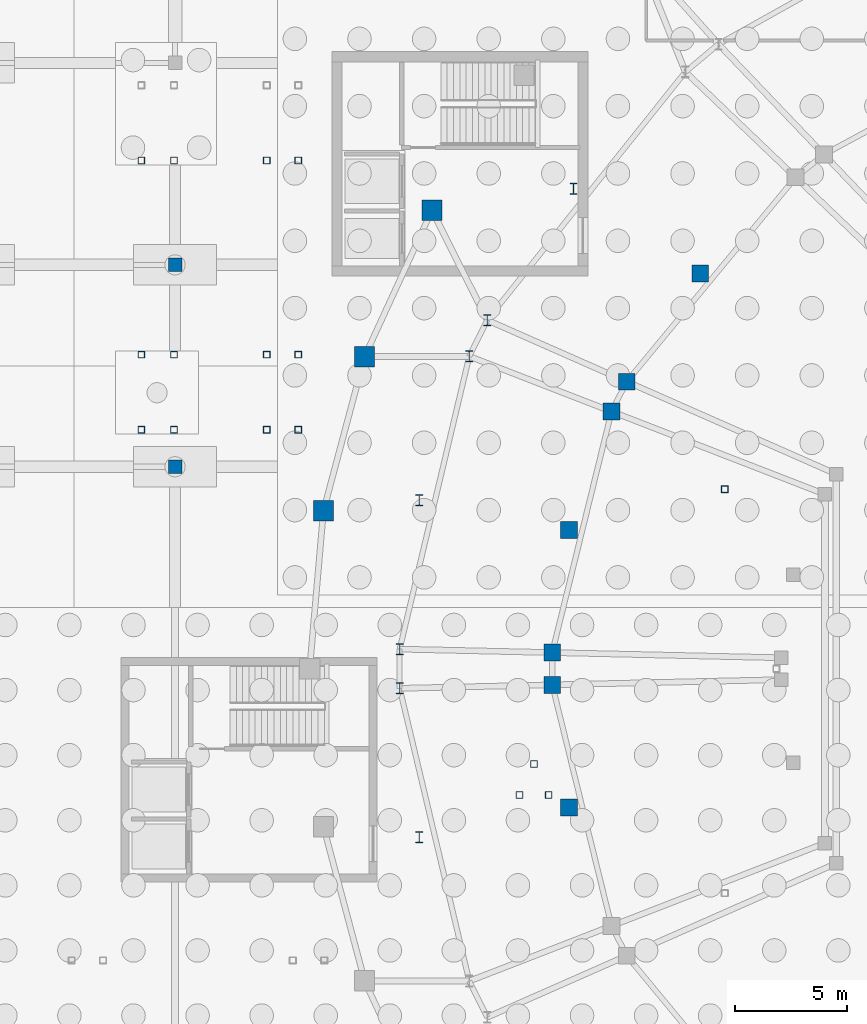
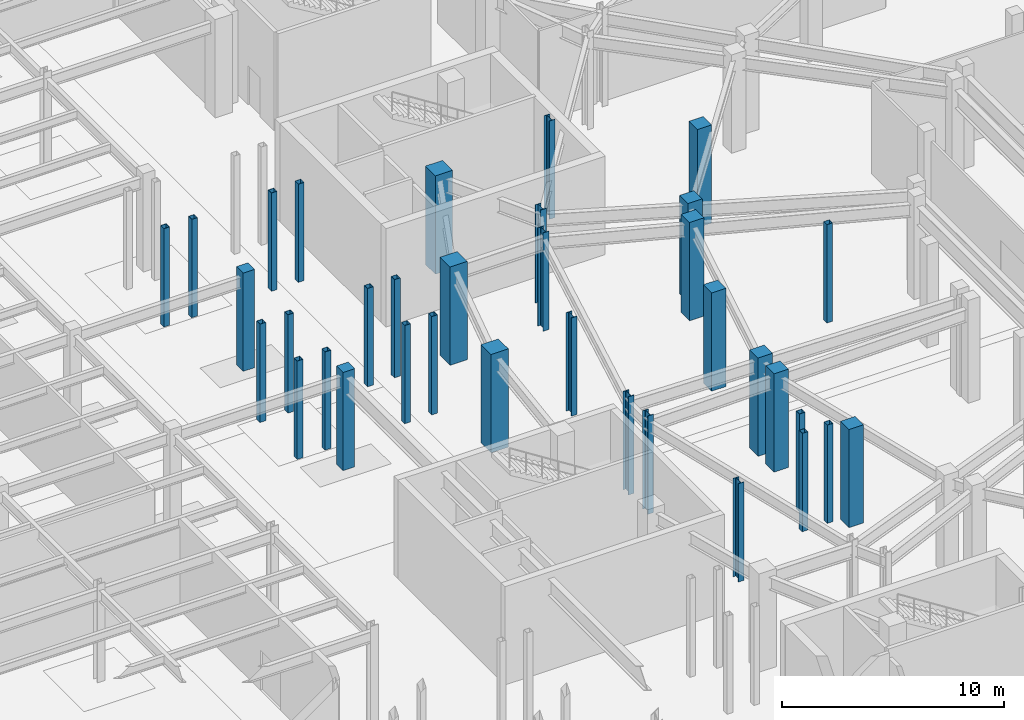
# One storey, part 18 of 56: 35 columns.
"""IFC4 building model written with IfcOpenShell, lengths in metres."""

from ifc_helpers import new_model, si_unit, direction, frame, origin, origin_2d, place, context, subcontext, project, spatial, rectangle, hollow_rectangle, i_section, extrude, material, material_profile, profile_set, type_object, element, save


model = new_model("IFC4")

# Units and contexts
model_context = context("Model", 3, precision=1e-05, world=origin(), true_north=direction((0.0, 1.0)))
body_context = subcontext(model_context, "Body", "Model", "MODEL_VIEW")
ifc_project = project(units=[si_unit("LENGTHUNIT", "METRE"), si_unit("AREAUNIT", "SQUARE_METRE"), si_unit("VOLUMEUNIT", "CUBIC_METRE"), si_unit("PLANEANGLEUNIT", "RADIAN"), si_unit("MASSUNIT", "GRAM", prefix="KILO")], contexts=[model_context])

# Site, building, storey
site_placement = place(None, origin())
site = spatial("IfcSite", under=ifc_project, at=site_placement, CompositionType="ELEMENT")
building_placement = place(site_placement, origin())
building = spatial("IfcBuilding", under=site, at=building_placement, Name="Glasvene Arena", CompositionType="ELEMENT")
storey_placement = place(building_placement, frame((0.0, 0.0, -5.39990234375)))
storey = spatial("IfcBuildingStorey", under=building, at=storey_placement, Name="B1", CompositionType="ELEMENT", Elevation=-5.39990234375)

# Columns
ifc_material_1 = material(Name="Concrete C40/50", Category="concrete")
ifc_material_profile_1 = material_profile(ifc_material_1, rectangle(XDim=0.89990234375, YDim=0.89990234375, at=origin_2d()), Name="RC 900x900")
ifc_profile_set_1 = profile_set([ifc_material_profile_1], Name="Concrete C40/50")
column_type_1 = type_object("IfcColumnType", Name="COL-BOWL-RC900", PredefinedType="COLUMN", material=ifc_profile_set_1)
for number, where, z_axis, x_axis, name in (
    (1, (47.44970703125, 93.4296875, 0.0), (0.0, 0.0, 1.0), (1.0, 0.0, 0.0), "Bowl ring column R18 B1"),
    (2, (44.447265625, 86.90576171875, 0.0), (0.0, 0.0, 1.0), (1.0, 0.0, 0.0), "Bowl ring column R19 B1"),
    (3, (42.615478515625, 80.03955078125, 0.0), (0.0, 0.0, 1.0), (1.0, 0.0, 0.0), "Bowl ring column R20 B1"),
):
    element("IfcColumn", number, at=place(storey_placement, frame(where, z_axis=z_axis, x_axis=x_axis)), inside=storey, type_object=column_type_1, Name=name, PredefinedType="COLUMN", context=body_context, shape_type="SweptSolid", body=[
        extrude(rectangle(XDim=0.89990234375, YDim=0.89990234375, at=origin_2d()), origin(), (0.0, 0.0, 1.0), 5.39990234375),
    ])
ifc_material_profile_2 = material_profile(ifc_material_1, rectangle(XDim=0.60009765625, YDim=0.60009765625, at=origin_2d()), Name="RC 600x600")
ifc_profile_set_2 = profile_set([ifc_material_profile_2], Name="Concrete C40/50")
column_type_2 = type_object("IfcColumnType", Name="COL-IN-RC600", PredefinedType="COLUMN", material=ifc_profile_set_2)
for number, where, z_axis, x_axis, name in (
    (4, (36.0, 82.0, 0.0), (0.0, 0.0, 1.0), (1.0, 0.0, 0.0), "Grid column 5-10 B1"),
    (5, (36.0, 91.0, 0.0), (0.0, 0.0, 1.0), (1.0, 0.0, 0.0), "Grid column 5-11 B1"),
):
    element("IfcColumn", number, at=place(storey_placement, frame(where, z_axis=z_axis, x_axis=x_axis)), inside=storey, type_object=column_type_2, Name=name, PredefinedType="COLUMN", context=body_context, shape_type="SweptSolid", body=[
        extrude(rectangle(XDim=0.60009765625, YDim=0.60009765625, at=origin_2d()), origin(), (0.0, 0.0, 1.0), 5.39990234375),
    ])
ifc_material_profile_3 = material_profile(ifc_material_1, rectangle(XDim=0.75, YDim=0.75, at=origin_2d()), Name="RC 750x750")
ifc_profile_set_3 = profile_set([ifc_material_profile_3], Name="Concrete C40/50")
column_type_3 = type_object("IfcColumnType", Name="COL-MID-RC750", PredefinedType="COLUMN", material=ifc_profile_set_3)
for number, where, z_axis, x_axis, name in (
    (6, (56.133544921875, 85.79248046875, 0.0), (0.0, 0.0, 1.0), (1.0, 0.0, 0.0), "Mid-bowl fulcrum column B1 07-2"),
    (7, (55.452880859375, 84.46337890625, 0.0), (0.0, 0.0, 1.0), (1.0, 0.0, 0.0), "Mid-bowl fulcrum column B1 08-1"),
    (8, (52.81005859375, 73.71923828125, 0.0), (0.0, 0.0, 1.0), (1.0, 0.0, 0.0), "Mid-bowl fulcrum column B1 08-2"),
    (9, (52.81005859375, 72.28076171875, 0.0), (0.0, 0.0, 1.0), (1.0, 0.0, 0.0), "Mid-bowl fulcrum column B1 09-1"),
    (10, (59.406494140625, 90.611572265625, 0.0), (0.0, 0.0, 1.0), (1.0, 0.0, 0.0), "Mid-sector fulcrum column B1 07"),
    (11, (53.55322265625, 79.184326171875, 0.0), (0.0, 0.0, 1.0), (1.0, 0.0, 0.0), "Mid-sector fulcrum column B1 08"),
    (12, (53.55322265625, 66.815673828125, 0.0), (0.0, 0.0, 1.0), (1.0, 0.0, 0.0), "Mid-sector fulcrum column B1 09"),
):
    element("IfcColumn", number, at=place(storey_placement, frame(where, z_axis=z_axis, x_axis=x_axis)), inside=storey, type_object=column_type_3, Name=name, PredefinedType="COLUMN", context=body_context, shape_type="SweptSolid", body=[
        extrude(rectangle(XDim=0.75, YDim=0.75, at=origin_2d()), origin(), (0.0, 0.0, 1.0), 5.39990234375),
    ])
ifc_material_2 = material(Name="Steel S355J2", Category="steel")
ifc_material_profile_4 = material_profile(ifc_material_2, i_section(OverallWidth=0.300048828125, OverallDepth=0.5, WebThickness=0.014404296875, FlangeThickness=0.028076171875, FilletRadius=0.027099609375, at=origin_2d()), Name="HEB 500")
ifc_profile_set_4 = profile_set([ifc_material_profile_4], Name="Steel S355J2")
column_type_4 = type_object("IfcColumnType", Name="COL-W-HEB500", PredefinedType="COLUMN", material=ifc_profile_set_4)
for number, where, z_axis, x_axis, name in (
    (13, (49.911865234375, 88.53662109375, 0.0), (0.0, 0.0, 1.0), (1.0, 0.0, 0.0), "Upper raker rear column B1 07-2"),
    (14, (49.113037109375, 86.922607421875, 0.0), (0.0, 0.0, 1.0), (1.0, 0.0, 0.0), "Upper raker rear column B1 08-1"),
    (15, (46.01171875, 73.87353515625, 0.0), (0.0, 0.0, 1.0), (1.0, 0.0, 0.0), "Upper raker rear column B1 08-2"),
    (16, (46.01171875, 72.12646484375, 0.0), (0.0, 0.0, 1.0), (1.0, 0.0, 0.0), "Upper raker rear column B1 09-1"),
    (17, (53.75244140625, 94.389404296875, 0.0), (0.0, 0.0, 1.0), (1.0, 0.0, 0.0), "Mid-sector rear raker column B1 07"),
    (18, (46.8837890625, 80.510986328125, 0.0), (0.0, 0.0, 1.0), (1.0, 0.0, 0.0), "Mid-sector rear raker column B1 08"),
    (19, (46.8837890625, 65.489013671875, 0.0), (0.0, 0.0, 1.0), (1.0, 0.0, 0.0), "Mid-sector rear raker column B1 09"),
):
    element("IfcColumn", number, at=place(storey_placement, frame(where, z_axis=z_axis, x_axis=x_axis)), inside=storey, type_object=column_type_4, Name=name, PredefinedType="COLUMN", context=body_context, shape_type="SweptSolid", body=[
        extrude(i_section(OverallWidth=0.300048828125, OverallDepth=0.5, WebThickness=0.014404296875, FlangeThickness=0.028076171875, FilletRadius=0.027099609375, at=origin_2d()), origin(), (0.0, 0.0, 1.0), 5.39990234375),
    ])
ifc_material_profile_5 = material_profile(ifc_material_2, hollow_rectangle(XDim=0.300048828125, YDim=0.300048828125, WallThickness=0.012451171875, at=origin_2d()), Name="SHS 300x300x12.5")
ifc_profile_set_5 = profile_set([ifc_material_profile_5], Name="Steel S355J2")
column_type_5 = type_object("IfcColumnType", Name="COL-W-SHS300", PredefinedType="COLUMN", material=ifc_profile_set_5)
for number, where, z_axis, x_axis, name in (
    (20, (60.5, 81.0, 0.0), (0.0, 0.0, 1.0), (1.0, 0.0, 0.0), "Sector 3-3 support column B1-2"),
    (21, (34.5, 95.64990234375, 0.0), (0.0, 0.0, 1.0), (1.0, 0.0, 0.0), "Vomitory arrival support column VOM-06 B1"),
    (22, (35.949951171875, 95.64990234375, 0.0), (0.0, 0.0, 1.0), (1.0, 0.0, 0.0), "Vomitory arrival support column VOM-06 B1"),
    (23, (40.090087890625, 95.64990234375, 0.0), (0.0, 0.0, 1.0), (1.0, 0.0, 0.0), "Vomitory landing column VOM-06 B1"),
    (24, (41.489990234375, 95.64990234375, 0.0), (0.0, 0.0, 1.0), (1.0, 0.0, 0.0), "Vomitory landing column VOM-06 B1"),
    (25, (34.5, 83.64990234375, 0.0), (0.0, 0.0, 1.0), (1.0, 0.0, 0.0), "Vomitory arrival support column VOM-07 B1"),
    (26, (34.5, 87.0, 0.0), (0.0, 0.0, 1.0), (1.0, 0.0, 0.0), "Vomitory arrival support column VOM-07 B1"),
    (27, (35.949951171875, 83.64990234375, 0.0), (0.0, 0.0, 1.0), (1.0, 0.0, 0.0), "Vomitory arrival support column VOM-07 B1"),
    (28, (35.949951171875, 87.0, 0.0), (0.0, 0.0, 1.0), (1.0, 0.0, 0.0), "Vomitory arrival support column VOM-07 B1"),
    (29, (40.090087890625, 83.64990234375, 0.0), (0.0, 0.0, 1.0), (1.0, 0.0, 0.0), "Vomitory landing column VOM-07 B1"),
    (30, (40.090087890625, 87.0, 0.0), (0.0, 0.0, 1.0), (1.0, 0.0, 0.0), "Vomitory landing column VOM-07 B1"),
    (31, (41.489990234375, 83.64990234375, 0.0), (0.0, 0.0, 1.0), (1.0, 0.0, 0.0), "Vomitory landing column VOM-07 B1"),
    (32, (41.489990234375, 87.0, 0.0), (0.0, 0.0, 1.0), (1.0, 0.0, 0.0), "Vomitory landing column VOM-07 B1"),
    (33, (51.35009765625, 67.3701171875, 0.0), (0.0, 0.0, 1.0), (1.0, 0.0, 0.0), "Accessible ramp basement pier RP-P1-1"),
    (34, (52.64990234375, 67.3701171875, 0.0), (0.0, 0.0, 1.0), (1.0, 0.0, 0.0), "Accessible ramp basement pier RP-P1-2"),
    (35, (52.0, 68.75, 0.0), (0.0, 0.0, 1.0), (1.0, 0.0, 0.0), "Accessible ramp basement pier RP-P1-3"),
):
    element("IfcColumn", number, at=place(storey_placement, frame(where, z_axis=z_axis, x_axis=x_axis)), inside=storey, type_object=column_type_5, Name=name, PredefinedType="COLUMN", context=body_context, shape_type="SweptSolid", body=[
        extrude(hollow_rectangle(XDim=0.300048828125, YDim=0.300048828125, WallThickness=0.012451171875, at=origin_2d()), origin(), (0.0, 0.0, 1.0), 5.39990234375),
    ])

save(model, "model.ifc")
